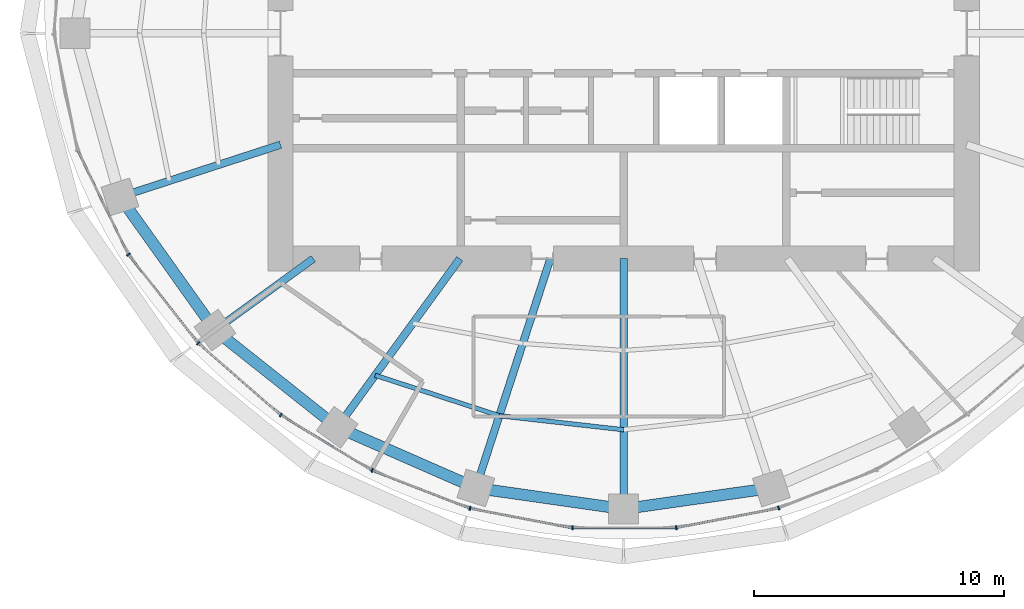
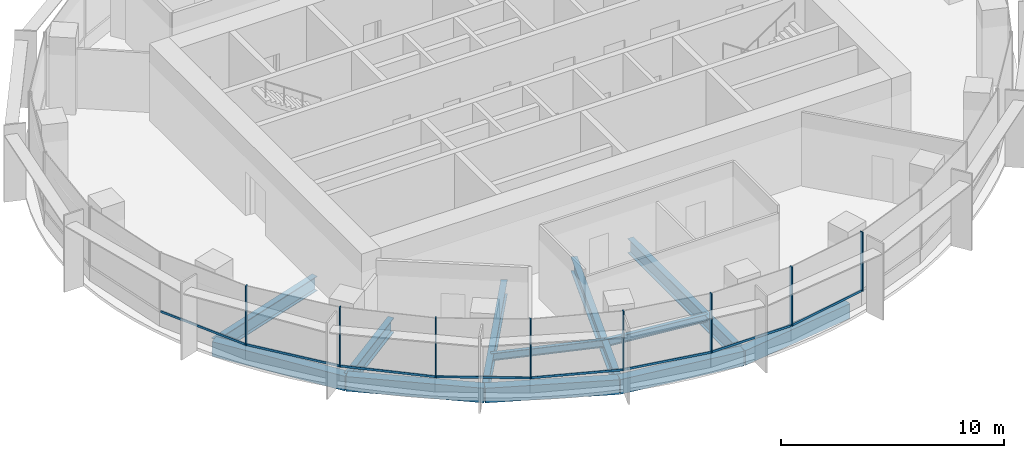
# One storey, part 2 of 13: 16 members, 12 beams, 2 elements without a shape of their own.
"""IFC4 building model written with IfcOpenShell, lengths in metres."""

import ifcopenshell
import ifcopenshell.guid

model = None  # the IFC model being written
_history = None  # IfcOwnerHistory: only IFC2X3 demands one
_inside = {}  # id of a spatial element -> (the spatial element, [elements in it])
_under = {}  # id of a project, library or spatial element -> (it, [spatial elements below it])
_declared = {}  # id of a project -> (the project, [libraries it declares])
_typed = {}  # id of a type object -> (the type object, [elements of that type])
_made_of = {}  # id of a material, layer set ... -> (it, [elements and type objects made of it])


def new_model(schema):
    """Start an empty IFC model of exactly this schema.

    Asked for "IFC4X3", IfcOpenShell would pick the latest addendum, in which some entities
    have other attributes; the version numbers below select the first issue.
    IFC2X3 requires an IfcOwnerHistory on every rooted entity: one is made here for all.
    """
    global model, _history
    if schema == "IFC4X3":
        model = ifcopenshell.file(schema_version=(4, 3, 0, 0))
    else:
        model = ifcopenshell.file(schema=schema)
    _inside.clear()
    _under.clear()
    _declared.clear()
    _typed.clear()
    _made_of.clear()
    _history = None
    if model.schema == "IFC2X3":
        org = make("IfcOrganization", Name="unknown")
        user = make(
            "IfcPersonAndOrganization",
            ThePerson=make("IfcPerson", FamilyName="unknown"),
            TheOrganization=org,
        )
        app = make(
            "IfcApplication",
            ApplicationDeveloper=org,
            Version="unknown",
            ApplicationFullName="unknown",
            ApplicationIdentifier="unknown",
        )
        _history = make(
            "IfcOwnerHistory",
            OwningUser=user,
            OwningApplication=app,
            ChangeAction="ADDED",
            CreationDate=0,
        )
    return model


def make(cls, **values):
    """One entity of the class cls with the attributes given. An attribute that is None is left unset."""
    return model.create_entity(
        cls, **{name: value for name, value in values.items() if value is not None}
    )


def rooted(cls, **values):
    """An entity with a GlobalId (a new one), such as an element, a storey or a relation."""
    return make(cls, GlobalId=ifcopenshell.guid.new(), OwnerHistory=_history, **values)


def si_unit(unit_type, name, prefix=None):
    """IfcSIUnit, for example si_unit("LENGTHUNIT", "METRE", prefix="MILLI")."""
    return make("IfcSIUnit", UnitType=unit_type, Prefix=prefix, Name=name)


def assignment(units):
    """IfcUnitAssignment: the units of a project."""
    return None if units is None else make("IfcUnitAssignment", Units=units)


def point(xyz):
    """IfcCartesianPoint."""
    return None if xyz is None else make("IfcCartesianPoint", Coordinates=xyz)


def direction(xyz):
    """IfcDirection."""
    return None if xyz is None else make("IfcDirection", DirectionRatios=xyz)


def frame(location, z_axis=None, x_axis=None):
    """IfcAxis2Placement3D, a coordinate frame: its origin and axes. An axis left out is left unset."""
    return make(
        "IfcAxis2Placement3D",
        Location=point(location),
        Axis=direction(z_axis),
        RefDirection=direction(x_axis),
    )


def frame_2d(location, x_axis=None):
    """IfcAxis2Placement2D, a coordinate frame in the plane: its origin and x axis."""
    return make(
        "IfcAxis2Placement2D", Location=point(location), RefDirection=direction(x_axis)
    )


def origin():
    """The frame at (0, 0, 0) with its axes left unset."""
    return frame((0.0, 0.0, 0.0))


def origin_2d():
    """The frame at (0, 0) in the plane with its x axis left unset."""
    return frame_2d((0.0, 0.0))


def place(relative_to, where):
    """IfcLocalPlacement: puts the frame where relative to a parent placement (None: the world)."""
    return make(
        "IfcLocalPlacement", PlacementRelTo=relative_to, RelativePlacement=where
    )


def context(
    kind, dimensions, precision=None, world=None, true_north=None, identifier=None
):
    """IfcGeometricRepresentationContext, for example the 3D "Model" context."""
    return make(
        "IfcGeometricRepresentationContext",
        ContextIdentifier=identifier,
        ContextType=kind,
        CoordinateSpaceDimension=dimensions,
        Precision=precision,
        WorldCoordinateSystem=world,
        TrueNorth=true_north,
    )


def subcontext(parent, identifier, kind, view, scale=None):
    """IfcGeometricRepresentationSubContext, for example "Body" below "Model"."""
    return make(
        "IfcGeometricRepresentationSubContext",
        ContextIdentifier=identifier,
        ContextType=kind,
        ParentContext=parent,
        TargetScale=scale,
        TargetView=view,
    )


def project(units=None, contexts=None):
    """IfcProject with its units and contexts."""
    return rooted(
        "IfcProject",
        Name="project",
        RepresentationContexts=contexts,
        UnitsInContext=assignment(units),
    )


def spatial(cls, under=None, at=None, **own):
    """A site, building, storey or space (cls), placed at a placement, below another one or the project."""
    s = rooted(cls, ObjectPlacement=at, **own)
    if under is not None:
        _under.setdefault(under.id(), (under, []))[1].append(s)
    return s


def profile(cls, at=None, kind="AREA", **sizes):
    """A parametric profile (cls). Its sizes go by their IFC names, for example OverallWidth=200.0."""
    return make(cls, ProfileType=kind, Position=at, **sizes)


def rectangle(**sizes):
    """IfcRectangleProfileDef."""
    return profile("IfcRectangleProfileDef", **sizes)


def i_section(**sizes):
    """IfcIShapeProfileDef."""
    return profile("IfcIShapeProfileDef", **sizes)


def extrude(swept, where, along, depth):
    """IfcExtrudedAreaSolid: the profile swept, set in the frame where, extruded along a direction by depth."""
    return make(
        "IfcExtrudedAreaSolid",
        SweptArea=swept,
        Position=where,
        ExtrudedDirection=direction(along),
        Depth=depth,
    )


def shape(context_of_items, identifier, shape_type, items):
    """IfcShapeRepresentation: the items that make up one representation, for example the "Body"."""
    return make(
        "IfcShapeRepresentation",
        ContextOfItems=context_of_items,
        RepresentationIdentifier=identifier,
        RepresentationType=shape_type,
        Items=items,
    )


def material(Name=None, Category=None):
    """IfcMaterial."""
    return make("IfcMaterial", Name=Name, Category=Category)


def material_profile(
    of_material, cross_section, Name=None, Category=None, Priority=None
):
    """IfcMaterialProfile: a cross section and its material."""
    return make(
        "IfcMaterialProfile",
        Name=Name,
        Material=of_material,
        Profile=cross_section,
        Priority=Priority,
        Category=Category,
    )


def profile_set(profiles, Name=None, composite=None):
    """IfcMaterialProfileSet."""
    return make(
        "IfcMaterialProfileSet",
        Name=Name,
        MaterialProfiles=profiles,
        CompositeProfile=composite,
    )


def made_of(thing, what):
    """Note that an element or type object is made of a material, layer set ...; save() writes the relation."""
    if what is not None:
        _made_of.setdefault(what.id(), (what, []))[1].append(thing)
    return thing


def type_object(cls, material=None, **own):
    """A type object (cls), such as IfcWallType, which elements share."""
    return made_of(rooted(cls, **own), material)


def element(
    cls,
    number,
    at=None,
    inside=None,
    cuts=None,
    type_object=None,
    material=None,
    context=None,
    identifier="Body",
    shape_type=None,
    held_by="IfcProductDefinitionShape",
    body=None,
    shapes=None,
    **own,
):
    """One element of the class cls, such as IfcWall. Its Tag is "e" and its number.

    at: its placement. inside: the storey or other place that contains it. cuts: it is an
    opening in that element (IfcRelVoidsElement). A single representation is given by context,
    identifier, shape_type and body (its items); several are given by shapes. held_by: the class
    of the entity that holds the representations. save() writes the other relations.
    """
    e = rooted(cls, Tag="e%d" % number, ObjectPlacement=at, **own)
    if body is not None:
        shapes = [shape(context, identifier, shape_type, body)]
    if shapes is not None:
        e.Representation = make(held_by, Representations=shapes)
    if inside is not None:
        _inside.setdefault(inside.id(), (inside, []))[1].append(e)
    if cuts is not None:
        rooted(
            "IfcRelVoidsElement", RelatingBuildingElement=cuts, RelatedOpeningElement=e
        )
    if type_object is not None:
        _typed.setdefault(type_object.id(), (type_object, []))[1].append(e)
    return made_of(e, material)


def aggregate(whole, parts):
    """IfcRelAggregates: a whole, such as a stair, and the parts it consists of."""
    return rooted("IfcRelAggregates", RelatingObject=whole, RelatedObjects=parts)


def save(model, path):
    """Write the relations noted so far, then the file.

    IfcRelAggregates (storeys below a building ...), IfcRelContainedInSpatialStructure (elements
    in a storey), IfcRelDefinesByType, IfcRelAssociatesMaterial and IfcRelDeclares: one each for
    every whole, place, type object, material and project.
    """
    for whole, parts in _under.values():
        aggregate(whole, parts)
    for where, things in _inside.values():
        rooted(
            "IfcRelContainedInSpatialStructure",
            RelatedElements=things,
            RelatingStructure=where,
        )
    for kind, things in _typed.values():
        rooted("IfcRelDefinesByType", RelatedObjects=things, RelatingType=kind)
    for what, things in _made_of.values():
        rooted("IfcRelAssociatesMaterial", RelatedObjects=things, RelatingMaterial=what)
    for by, libraries in _declared.values():
        rooted("IfcRelDeclares", RelatingContext=by, RelatedDefinitions=libraries)
    model.write(path)


model = new_model("IFC4")

# Units and contexts
model_context = context("Model", 3, precision=1e-05, world=origin(), true_north=direction((0.0, 1.0)))
body_context = subcontext(model_context, "Body", "Model", "MODEL_VIEW")
ifc_project = project(units=[si_unit("LENGTHUNIT", "METRE"), si_unit("AREAUNIT", "SQUARE_METRE"), si_unit("VOLUMEUNIT", "CUBIC_METRE"), si_unit("PLANEANGLEUNIT", "RADIAN"), si_unit("MASSUNIT", "GRAM", prefix="KILO")], contexts=[model_context])

# Site, building, storey
site_placement = place(None, origin())
site = spatial("IfcSite", under=ifc_project, at=site_placement, CompositionType="ELEMENT")
building_placement = place(site_placement, origin())
building = spatial("IfcBuilding", under=site, at=building_placement, Name="Marramba Exchange Tower", CompositionType="ELEMENT")
storey_placement = place(building_placement, frame((0.0, 0.0, 268.60009765625)))
storey = spatial("IfcBuildingStorey", under=building, at=storey_placement, Name="L65", CompositionType="ELEMENT", Elevation=268.60009765625)

# Curtain wall, members
ifc_material_1 = material(Name="Aluminium framing, bronze anodised", Category="aluminium")
curtain_wall_type = type_object("IfcCurtainWallType", Name="Executive floor ribbon curtain wall", PredefinedType="USERDEFINED", material=ifc_material_1)
curtain_wall_1_placement = place(storey_placement, origin())
curtain_wall_1 = element("IfcCurtainWall", 1, at=curtain_wall_1_placement, inside=storey, type_object=curtain_wall_type, Name="Curtain wall CW5 L65 F16-F20", ObjectType="RIBBON CURTAIN WALL", PredefinedType="USERDEFINED")
ifc_material_2 = material(Name="Aluminium mullion, bronze anodised", Category="aluminium")
ifc_material_profile_1 = material_profile(ifc_material_2, rectangle(XDim=0.159912109375, YDim=0.06005859375, at=origin_2d()), Name="CW5 mullion 60x160")
ifc_profile_set_1 = profile_set([ifc_material_profile_1], Name="Aluminium mullion, bronze anodised")
member_type_1 = type_object("IfcMemberType", Name="Executive floor ribbon curtain wall mullion", PredefinedType="MULLION", material=ifc_profile_set_1)
member_1_placement = place(storey_placement, frame((-19.771240234375, -8.83447265625, 0.7998046875), z_axis=(0.0, 0.0, 1.0), x_axis=(0.78594954734, 0.618290634763, 0.0)))
member_1 = element("IfcMember", 2, at=member_1_placement, type_object=member_type_1, Name="CW5 mullion 1", PredefinedType="MULLION", context=body_context, shape_type="SweptSolid", body=[
    extrude(rectangle(XDim=0.159912109375, YDim=0.06005859375, at=origin_2d()), origin(), (0.0, 0.0, 1.0), 3.239990234375),
])
member_2_placement = place(storey_placement, frame((-16.98046875, -12.373291015625, 0.7998046875), z_axis=(0.0, 0.0, 1.0), x_axis=(0.658305290779, 0.752751050569, 0.0)))
member_2 = element("IfcMember", 3, at=member_2_placement, type_object=member_type_1, Name="CW5 mullion 1", PredefinedType="MULLION", context=body_context, shape_type="SweptSolid", body=[
    extrude(rectangle(XDim=0.159912109375, YDim=0.06005859375, at=origin_2d()), origin(), (0.0, 0.0, 1.0), 3.239990234375),
])
member_3_placement = place(storey_placement, frame((-13.687744140625, -15.245849609375, 0.7998046875), z_axis=(0.0, 0.0, 1.0), x_axis=(0.519115121209, 0.854704329539, 0.0)))
member_3 = element("IfcMember", 4, at=member_3_placement, type_object=member_type_1, Name="CW5 mullion 1", PredefinedType="MULLION", context=body_context, shape_type="SweptSolid", body=[
    extrude(rectangle(XDim=0.159912109375, YDim=0.06005859375, at=origin_2d()), origin(), (0.0, 0.0, 1.0), 3.239990234375),
])

curtain_wall_2_placement = place(storey_placement, origin())
curtain_wall_2 = element("IfcCurtainWall", 5, at=curtain_wall_2_placement, inside=storey, type_object=curtain_wall_type, Name="Curtain wall CW5 L65 F21-F25", ObjectType="RIBBON CURTAIN WALL", PredefinedType="USERDEFINED")
member_4_placement = place(storey_placement, frame((-10.042724609375, -17.45361328125, 0.7998046875), z_axis=(0.0, 0.0, 1.0), x_axis=(0.363010271018, 0.931785137859, 0.0)))
member_4 = element("IfcMember", 6, at=member_4_placement, type_object=member_type_1, Name="CW5 mullion 1", PredefinedType="MULLION", context=body_context, shape_type="SweptSolid", body=[
    extrude(rectangle(XDim=0.159912109375, YDim=0.06005859375, at=origin_2d()), origin(), (0.0, 0.0, 1.0), 3.239990234375),
])
member_5_placement = place(storey_placement, frame((-6.1328125, -18.97119140625, 0.7998046875), z_axis=(0.0, 0.0, 1.0), x_axis=(0.187873198899, 0.982193291127, 0.0)))
member_5 = element("IfcMember", 7, at=member_5_placement, type_object=member_type_1, Name="CW5 mullion 1", PredefinedType="MULLION", context=body_context, shape_type="SweptSolid", body=[
    extrude(rectangle(XDim=0.159912109375, YDim=0.06005859375, at=origin_2d()), origin(), (0.0, 0.0, 1.0), 3.239990234375),
])
member_6_placement = place(storey_placement, frame((-2.04541015625, -19.7470703125, 0.7998046875), z_axis=(0.0, 0.0, 1.0), x_axis=(0.0, 1.0, 0.0)))
member_6 = element("IfcMember", 8, at=member_6_placement, type_object=member_type_1, Name="CW5 mullion 1", PredefinedType="MULLION", context=body_context, shape_type="SweptSolid", body=[
    extrude(rectangle(XDim=0.159912109375, YDim=0.06005859375, at=origin_2d()), origin(), (0.0, 0.0, 1.0), 3.239990234375),
])
member_7_placement = place(storey_placement, frame((2.10498046875, -19.741455078125, 0.7998046875), z_axis=(0.0, 0.0, 1.0), x_axis=(-0.187873198899, 0.982193291127, 0.0)))
member_7 = element("IfcMember", 9, at=member_7_placement, type_object=member_type_1, Name="CW5 mullion 1", PredefinedType="MULLION", context=body_context, shape_type="SweptSolid", body=[
    extrude(rectangle(XDim=0.159912109375, YDim=0.06005859375, at=origin_2d()), origin(), (0.0, 0.0, 1.0), 3.239990234375),
])
member_8_placement = place(storey_placement, frame((6.190185546875, -18.95458984375, 0.7998046875), z_axis=(0.0, 0.0, 1.0), x_axis=(-0.363010271018, 0.931785137859, 0.0)))
member_8 = element("IfcMember", 10, at=member_8_placement, type_object=member_type_1, Name="CW5 mullion 1", PredefinedType="MULLION", context=body_context, shape_type="SweptSolid", body=[
    extrude(rectangle(XDim=0.159912109375, YDim=0.06005859375, at=origin_2d()), origin(), (0.0, 0.0, 1.0), 3.239990234375),
])

# Member
ifc_material_3 = material(Name="Aluminium transom, bronze anodised", Category="aluminium")
ifc_material_profile_2 = material_profile(ifc_material_3, rectangle(XDim=0.06005859375, YDim=0.1201171875, at=origin_2d()), Name="CW5 transom 60x120")
ifc_profile_set_2 = profile_set([ifc_material_profile_2], Name="Aluminium transom, bronze anodised")
member_type_2 = type_object("IfcMemberType", Name="Executive floor ribbon curtain wall transom", PredefinedType="USERDEFINED", material=ifc_profile_set_2)
member_9_placement = place(storey_placement, frame((-21.788818359375, -4.69091796875, 0.829833984375), z_axis=(0.436519399678, -0.899694844769, 0.0), x_axis=(0.899694844769, 0.436519399678, 0.0)))
member_9 = element("IfcMember", 11, at=member_9_placement, type_object=member_type_2, Name="CW5 sill transom", ObjectType="TRANSOM", PredefinedType="USERDEFINED", context=body_context, shape_type="SweptSolid", body=[
    extrude(rectangle(XDim=0.06005859375, YDim=0.1201171875, at=origin_2d()), origin(), (0.0, 0.0, 1.0), 4.579345703125),
])

member_10_placement = place(storey_placement, frame((-19.752685546875, -8.858154296875, 0.829833984375), z_axis=(0.61829420435, -0.785946739206, 0.0), x_axis=(0.785946739206, 0.61829420435, 0.0)))
member_10 = element("IfcMember", 12, at=member_10_placement, type_object=member_type_2, Name="CW5 sill transom", ObjectType="TRANSOM", PredefinedType="USERDEFINED", context=body_context, shape_type="SweptSolid", body=[
    extrude(rectangle(XDim=0.06005859375, YDim=0.1201171875, at=origin_2d()), origin(), (0.0, 0.0, 1.0), 4.447265625),
])

member_11_placement = place(storey_placement, frame((-16.957763671875, -12.392822265625, 0.829833984375), z_axis=(0.752741590247, -0.658316108198, 0.0), x_axis=(0.658316108198, 0.752741590247, 0.0)))
member_11 = element("IfcMember", 13, at=member_11_placement, type_object=member_type_2, Name="CW5 sill transom", ObjectType="TRANSOM", PredefinedType="USERDEFINED", context=body_context, shape_type="SweptSolid", body=[
    extrude(rectangle(XDim=0.06005859375, YDim=0.1201171875, at=origin_2d()), origin(), (0.0, 0.0, 1.0), 4.31005859375),
])

member_12_placement = place(storey_placement, frame((-13.662109375, -15.261474609375, 0.829833984375), z_axis=(0.854701897511, -0.519119125434, 0.0), x_axis=(0.519119125434, 0.854701897511, 0.0)))
member_12 = element("IfcMember", 14, at=member_12_placement, type_object=member_type_2, Name="CW5 sill transom", ObjectType="TRANSOM", PredefinedType="USERDEFINED", context=body_context, shape_type="SweptSolid", body=[
    extrude(rectangle(XDim=0.06005859375, YDim=0.1201171875, at=origin_2d()), origin(), (0.0, 0.0, 1.0), 4.2021484375),
])

aggregate(curtain_wall_1, [member_9, member_1, member_10, member_2, member_11, member_3, member_12])

member_13_placement = place(storey_placement, frame((-10.0146484375, -17.464599609375, 0.829833984375), z_axis=(0.931790621773, -0.362996194438, 0.0), x_axis=(0.362996194438, 0.931790621773, 0.0)))
member_13 = element("IfcMember", 15, at=member_13_placement, type_object=member_type_2, Name="CW5 sill transom", ObjectType="TRANSOM", PredefinedType="USERDEFINED", context=body_context, shape_type="SweptSolid", body=[
    extrude(rectangle(XDim=0.06005859375, YDim=0.1201171875, at=origin_2d()), origin(), (0.0, 0.0, 1.0), 4.13427734375),
])

member_14_placement = place(storey_placement, frame((-6.103271484375, -18.976806640625, 0.829833984375), z_axis=(0.982201256187, -0.187831553114, 0.0), x_axis=(0.187831553114, 0.982201256187, 0.0)))
member_14 = element("IfcMember", 16, at=member_14_placement, type_object=member_type_2, Name="CW5 sill transom", ObjectType="TRANSOM", PredefinedType="USERDEFINED", context=body_context, shape_type="SweptSolid", body=[
    extrude(rectangle(XDim=0.06005859375, YDim=0.1201171875, at=origin_2d()), origin(), (0.0, 0.0, 1.0), 4.100830078125),
])

member_15_placement = place(storey_placement, frame((-2.015625, -19.7470703125, 0.829833984375), z_axis=(1.0, 0.0, 0.0), x_axis=(0.0, 1.0, 0.0)))
member_15 = element("IfcMember", 17, at=member_15_placement, type_object=member_type_2, Name="CW5 sill transom", ObjectType="TRANSOM", PredefinedType="USERDEFINED", context=body_context, shape_type="SweptSolid", body=[
    extrude(rectangle(XDim=0.06005859375, YDim=0.1201171875, at=origin_2d()), origin(), (0.0, 0.0, 1.0), 4.091064453125),
])

member_16_placement = place(storey_placement, frame((2.134521484375, -19.73583984375, 0.829833984375), z_axis=(0.982190271195, 0.187888986295, 0.0), x_axis=(-0.187888986295, 0.982190271195, 0.0)))
member_16 = element("IfcMember", 18, at=member_16_placement, type_object=member_type_2, Name="CW5 sill transom", ObjectType="TRANSOM", PredefinedType="USERDEFINED", context=body_context, shape_type="SweptSolid", body=[
    extrude(rectangle(XDim=0.06005859375, YDim=0.1201171875, at=origin_2d()), origin(), (0.0, 0.0, 1.0), 4.100830078125),
])

aggregate(curtain_wall_2, [member_4, member_13, member_5, member_14, member_6, member_15, member_7, member_16, member_8])

# Beams
ifc_material_4 = material(Name="Steel AS/NZS 3679.1 grade 300", Category="steel")
ifc_material_profile_3 = material_profile(ifc_material_4, i_section(OverallWidth=0.177978515625, OverallDepth=0.403076171875, WebThickness=0.007568359375, FlangeThickness=0.010986328125, FilletRadius=0.011474609375, at=origin_2d()), Name="410UB53.7")
ifc_profile_set_3 = profile_set([ifc_material_profile_3], Name="Steel AS/NZS 3679.1 grade 300")
beam_type_1 = type_object("IfcBeamType", Name="Floor joist 410UB53.7", PredefinedType="JOIST", material=ifc_profile_set_3)
beam_1_placement = place(storey_placement, frame((-9.9208984375, -13.655029296875, -0.361572265625), z_axis=(0.950764024931, -0.309915744834, 0.0), x_axis=(0.309915744834, 0.950764024931, 0.0)))
element("IfcBeam", 19, at=beam_1_placement, inside=storey, type_object=beam_type_1, Name="Joist L65 bay 14 row 2", PredefinedType="JOIST", context=body_context, shape_type="SweptSolid", body=[
    extrude(i_section(OverallWidth=0.177978515625, OverallDepth=0.403076171875, WebThickness=0.007568359375, FlangeThickness=0.010986328125, FilletRadius=0.011474609375, at=origin_2d()), origin(), (0.0, 0.0, 1.0), 5.2158203125),
])
beam_2_placement = place(storey_placement, frame((-4.9619140625, -15.271484375, -0.361572265625), z_axis=(0.993712018573, -0.111966174106, 0.0), x_axis=(0.111966174106, 0.993712018573, 0.0)))
element("IfcBeam", 20, at=beam_2_placement, inside=storey, type_object=beam_type_1, Name="Joist L65 bay 15 row 2", PredefinedType="JOIST", context=body_context, shape_type="SweptSolid", body=[
    extrude(i_section(OverallWidth=0.177978515625, OverallDepth=0.403076171875, WebThickness=0.007568359375, FlangeThickness=0.010986328125, FilletRadius=0.011474609375, at=origin_2d()), origin(), (0.0, 0.0, 1.0), 4.993408203125),
])
ifc_material_5 = material(Name="Steel AS/NZS 3679.2 grade 300", Category="steel")
ifc_material_profile_4 = material_profile(ifc_material_5, i_section(OverallWidth=0.300048828125, OverallDepth=0.800048828125, WebThickness=0.013916015625, FlangeThickness=0.031982421875, at=origin_2d()), Name="800WB192")
ifc_profile_set_4 = profile_set([ifc_material_profile_4], Name="Steel AS/NZS 3679.2 grade 300")
beam_type_2 = type_object("IfcBeamType", Name="Radial girder 800WB192", PredefinedType="BEAM", material=ifc_profile_set_4)
beam_3_placement = place(storey_placement, frame((-13.699951171875, -4.451416015625, -0.56005859375), z_axis=(-0.951057759669, -0.309013167637, 0.0), x_axis=(0.309013167637, -0.951057759669, 0.0)))
element("IfcBeam", 21, at=beam_3_placement, inside=storey, type_object=beam_type_2, Name="Radial girder L65 TC12", PredefinedType="BEAM", context=body_context, shape_type="SweptSolid", body=[
    extrude(i_section(OverallWidth=0.300048828125, OverallDepth=0.800048828125, WebThickness=0.013916015625, FlangeThickness=0.031982421875, at=origin_2d()), origin(), (0.0, 0.0, 1.0), 6.7392578125),
])
beam_4_placement = place(storey_placement, frame((-12.387451171875, -9.0, -0.56005859375), z_axis=(-0.809025189606, -0.58777397236, 0.0), x_axis=(0.58777397236, -0.809025189606, 0.0)))
element("IfcBeam", 22, at=beam_4_placement, inside=storey, type_object=beam_type_2, Name="Radial girder L65 TC13", PredefinedType="BEAM", context=body_context, shape_type="SweptSolid", body=[
    extrude(i_section(OverallWidth=0.300048828125, OverallDepth=0.800048828125, WebThickness=0.013916015625, FlangeThickness=0.031982421875, at=origin_2d()), origin(), (0.0, 0.0, 1.0), 4.855224609375),
])
beam_5_placement = place(storey_placement, frame((-6.538818359375, -9.0, -0.56005859375), z_axis=(-0.587787877172, -0.809015087282, 0.0), x_axis=(0.809015087282, -0.587787877172, 0.0)))
element("IfcBeam", 23, at=beam_5_placement, inside=storey, type_object=beam_type_2, Name="Radial girder L65 TC14", PredefinedType="BEAM", context=body_context, shape_type="SweptSolid", body=[
    extrude(i_section(OverallWidth=0.300048828125, OverallDepth=0.800048828125, WebThickness=0.013916015625, FlangeThickness=0.031982421875, at=origin_2d()), origin(), (0.0, 0.0, 1.0), 8.322021484375),
])
beam_6_placement = place(storey_placement, frame((-2.92431640625, -9.0, -0.56005859375), z_axis=(-0.309022428985, -0.951054750466, 0.0), x_axis=(0.951054750466, -0.309022428985, 0.0)))
element("IfcBeam", 24, at=beam_6_placement, inside=storey, type_object=beam_type_2, Name="Radial girder L65 TC15", PredefinedType="BEAM", context=body_context, shape_type="SweptSolid", body=[
    extrude(i_section(OverallWidth=0.300048828125, OverallDepth=0.800048828125, WebThickness=0.013916015625, FlangeThickness=0.031982421875, at=origin_2d()), origin(), (0.0, 0.0, 1.0), 9.628173828125),
])
beam_7_placement = place(storey_placement, frame((0.0, -9.0, -0.56005859375), z_axis=(0.0, -1.0, 0.0), x_axis=(1.0, 0.0, 0.0)))
element("IfcBeam", 25, at=beam_7_placement, inside=storey, type_object=beam_type_2, Name="Radial girder L65 TC16", PredefinedType="BEAM", context=body_context, shape_type="SweptSolid", body=[
    extrude(i_section(OverallWidth=0.300048828125, OverallDepth=0.800048828125, WebThickness=0.013916015625, FlangeThickness=0.031982421875, at=origin_2d()), origin(), (0.0, 0.0, 1.0), 9.99609375),
])
ifc_material_6 = material(Name="Concrete N50", Category="concrete")
ifc_material_profile_5 = material_profile(ifc_material_6, rectangle(XDim=0.449951171875, YDim=0.800048828125, at=origin_2d()), Name="RC 450x800")
ifc_profile_set_5 = profile_set([ifc_material_profile_5], Name="Concrete N50")
beam_type_3 = type_object("IfcBeamType", Name="Ring beam RC 450x800 N50", PredefinedType="SPANDREL", material=ifc_profile_set_5)
beam_8_placement = place(storey_placement, frame((-20.109375, -6.533935546875, -0.56005859375), z_axis=(0.580637181111, -0.814162430914, 0.0), x_axis=(0.814162430914, 0.580637181111, 0.0)))
element("IfcBeam", 26, at=beam_8_placement, inside=storey, type_object=beam_type_3, Name="Ring beam L65 TC12-TC13", PredefinedType="SPANDREL", context=body_context, shape_type="SweptSolid", body=[
    extrude(rectangle(XDim=0.449951171875, YDim=0.800048828125, at=origin_2d()), origin(), (0.0, 0.0, 1.0), 6.5341796875),
])
beam_9_placement = place(storey_placement, frame((-16.3154296875, -11.853759765625, -0.56005859375), z_axis=(0.783139438128, -0.621846138887, 0.0), x_axis=(0.621846138887, 0.783139438128, 0.0)))
element("IfcBeam", 27, at=beam_9_placement, inside=storey, type_object=beam_type_3, Name="Ring beam L65 TC13-TC14", PredefinedType="SPANDREL", context=body_context, shape_type="SweptSolid", body=[
    extrude(rectangle(XDim=0.449951171875, YDim=0.800048828125, at=origin_2d()), origin(), (0.0, 0.0, 1.0), 6.23779296875),
])
beam_10_placement = place(storey_placement, frame((-11.430419921875, -15.732666015625, -0.56005859375), z_axis=(0.915876892158, -0.4014592363, 0.0), x_axis=(0.4014592363, 0.915876892158, 0.0)))
element("IfcBeam", 28, at=beam_10_placement, inside=storey, type_object=beam_type_3, Name="Ring beam L65 TC14-TC15", PredefinedType="SPANDREL", context=body_context, shape_type="SweptSolid", body=[
    extrude(rectangle(XDim=0.449951171875, YDim=0.800048828125, at=origin_2d()), origin(), (0.0, 0.0, 1.0), 6.038818359375),
])
for number, where, z_axis, x_axis, name in (
    (29, (-5.899658203125, -18.156982421875, -0.56005859375), (0.990036163016, -0.140813337152, 0.0), (0.140813337152, 0.990036163016, 0.0), "Ring beam L65 TC15-TC16"),
    (30, (0.0, -18.99609375, -0.56005859375), (0.990036163016, 0.140813337152, 0.0), (-0.140813337152, 0.990036163016, 0.0), "Ring beam L65 TC16-TC17"),
):
    element("IfcBeam", number, at=place(storey_placement, frame(where, z_axis=z_axis, x_axis=x_axis)), inside=storey, type_object=beam_type_3, Name=name, PredefinedType="SPANDREL", context=body_context, shape_type="SweptSolid", body=[
        extrude(rectangle(XDim=0.449951171875, YDim=0.800048828125, at=origin_2d()), origin(), (0.0, 0.0, 1.0), 5.958984375),
    ])

save(model, "model.ifc")
